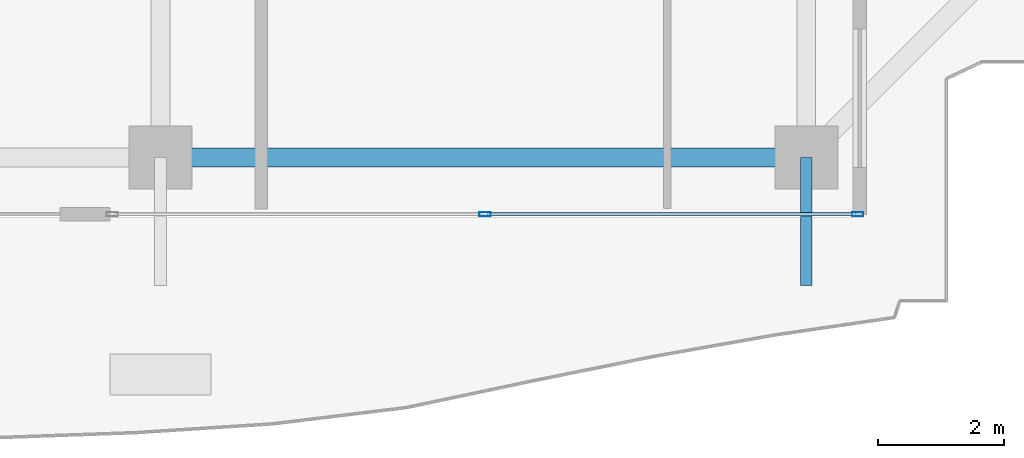
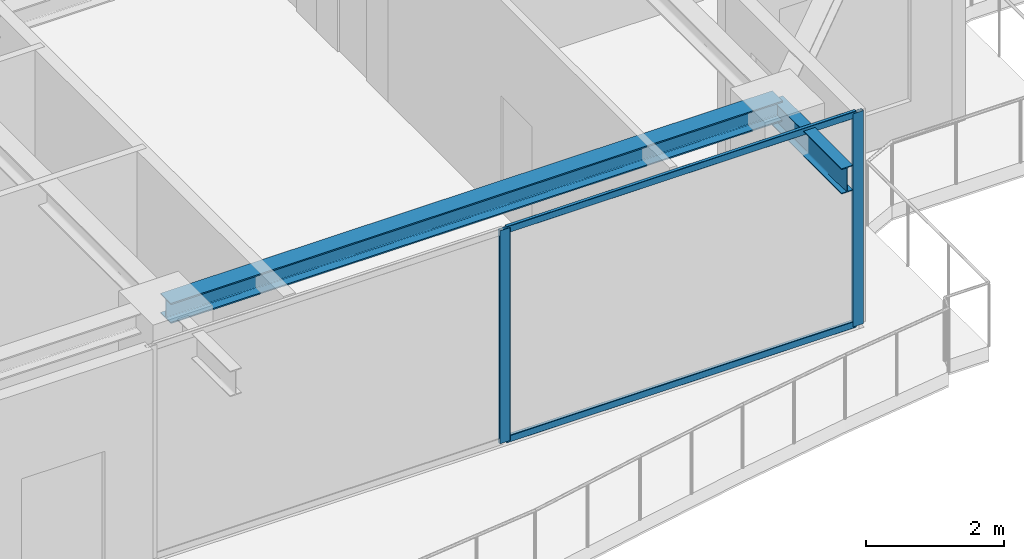
# One storey, part 12 of 42: 4 members, 2 beams, 1 element without a shape of its own.
"""IFC4 building model written with IfcOpenShell, lengths in metres."""

import ifcopenshell
import ifcopenshell.guid

model = None  # the IFC model being written
_history = None  # IfcOwnerHistory: only IFC2X3 demands one
_inside = {}  # id of a spatial element -> (the spatial element, [elements in it])
_under = {}  # id of a project, library or spatial element -> (it, [spatial elements below it])
_declared = {}  # id of a project -> (the project, [libraries it declares])
_typed = {}  # id of a type object -> (the type object, [elements of that type])
_made_of = {}  # id of a material, layer set ... -> (it, [elements and type objects made of it])


def new_model(schema):
    """Start an empty IFC model of exactly this schema.

    Asked for "IFC4X3", IfcOpenShell would pick the latest addendum, in which some entities
    have other attributes; the version numbers below select the first issue.
    IFC2X3 requires an IfcOwnerHistory on every rooted entity: one is made here for all.
    """
    global model, _history
    if schema == "IFC4X3":
        model = ifcopenshell.file(schema_version=(4, 3, 0, 0))
    else:
        model = ifcopenshell.file(schema=schema)
    _inside.clear()
    _under.clear()
    _declared.clear()
    _typed.clear()
    _made_of.clear()
    _history = None
    if model.schema == "IFC2X3":
        org = make("IfcOrganization", Name="unknown")
        user = make(
            "IfcPersonAndOrganization",
            ThePerson=make("IfcPerson", FamilyName="unknown"),
            TheOrganization=org,
        )
        app = make(
            "IfcApplication",
            ApplicationDeveloper=org,
            Version="unknown",
            ApplicationFullName="unknown",
            ApplicationIdentifier="unknown",
        )
        _history = make(
            "IfcOwnerHistory",
            OwningUser=user,
            OwningApplication=app,
            ChangeAction="ADDED",
            CreationDate=0,
        )
    return model


def make(cls, **values):
    """One entity of the class cls with the attributes given. An attribute that is None is left unset."""
    return model.create_entity(
        cls, **{name: value for name, value in values.items() if value is not None}
    )


def rooted(cls, **values):
    """An entity with a GlobalId (a new one), such as an element, a storey or a relation."""
    return make(cls, GlobalId=ifcopenshell.guid.new(), OwnerHistory=_history, **values)


def si_unit(unit_type, name, prefix=None):
    """IfcSIUnit, for example si_unit("LENGTHUNIT", "METRE", prefix="MILLI")."""
    return make("IfcSIUnit", UnitType=unit_type, Prefix=prefix, Name=name)


def assignment(units):
    """IfcUnitAssignment: the units of a project."""
    return None if units is None else make("IfcUnitAssignment", Units=units)


def point(xyz):
    """IfcCartesianPoint."""
    return None if xyz is None else make("IfcCartesianPoint", Coordinates=xyz)


def direction(xyz):
    """IfcDirection."""
    return None if xyz is None else make("IfcDirection", DirectionRatios=xyz)


def frame(location, z_axis=None, x_axis=None):
    """IfcAxis2Placement3D, a coordinate frame: its origin and axes. An axis left out is left unset."""
    return make(
        "IfcAxis2Placement3D",
        Location=point(location),
        Axis=direction(z_axis),
        RefDirection=direction(x_axis),
    )


def frame_2d(location, x_axis=None):
    """IfcAxis2Placement2D, a coordinate frame in the plane: its origin and x axis."""
    return make(
        "IfcAxis2Placement2D", Location=point(location), RefDirection=direction(x_axis)
    )


def origin():
    """The frame at (0, 0, 0) with its axes left unset."""
    return frame((0.0, 0.0, 0.0))


def origin_2d():
    """The frame at (0, 0) in the plane with its x axis left unset."""
    return frame_2d((0.0, 0.0))


def place(relative_to, where):
    """IfcLocalPlacement: puts the frame where relative to a parent placement (None: the world)."""
    return make(
        "IfcLocalPlacement", PlacementRelTo=relative_to, RelativePlacement=where
    )


def context(
    kind, dimensions, precision=None, world=None, true_north=None, identifier=None
):
    """IfcGeometricRepresentationContext, for example the 3D "Model" context."""
    return make(
        "IfcGeometricRepresentationContext",
        ContextIdentifier=identifier,
        ContextType=kind,
        CoordinateSpaceDimension=dimensions,
        Precision=precision,
        WorldCoordinateSystem=world,
        TrueNorth=true_north,
    )


def subcontext(parent, identifier, kind, view, scale=None):
    """IfcGeometricRepresentationSubContext, for example "Body" below "Model"."""
    return make(
        "IfcGeometricRepresentationSubContext",
        ContextIdentifier=identifier,
        ContextType=kind,
        ParentContext=parent,
        TargetScale=scale,
        TargetView=view,
    )


def project(units=None, contexts=None):
    """IfcProject with its units and contexts."""
    return rooted(
        "IfcProject",
        Name="project",
        RepresentationContexts=contexts,
        UnitsInContext=assignment(units),
    )


def spatial(cls, under=None, at=None, **own):
    """A site, building, storey or space (cls), placed at a placement, below another one or the project."""
    s = rooted(cls, ObjectPlacement=at, **own)
    if under is not None:
        _under.setdefault(under.id(), (under, []))[1].append(s)
    return s


def profile(cls, at=None, kind="AREA", **sizes):
    """A parametric profile (cls). Its sizes go by their IFC names, for example OverallWidth=200.0."""
    return make(cls, ProfileType=kind, Position=at, **sizes)


def hollow_rectangle(**sizes):
    """IfcRectangleHollowProfileDef."""
    return profile("IfcRectangleHollowProfileDef", **sizes)


def i_section(**sizes):
    """IfcIShapeProfileDef."""
    return profile("IfcIShapeProfileDef", **sizes)


def extrude(swept, where, along, depth):
    """IfcExtrudedAreaSolid: the profile swept, set in the frame where, extruded along a direction by depth."""
    return make(
        "IfcExtrudedAreaSolid",
        SweptArea=swept,
        Position=where,
        ExtrudedDirection=direction(along),
        Depth=depth,
    )


def shape(context_of_items, identifier, shape_type, items):
    """IfcShapeRepresentation: the items that make up one representation, for example the "Body"."""
    return make(
        "IfcShapeRepresentation",
        ContextOfItems=context_of_items,
        RepresentationIdentifier=identifier,
        RepresentationType=shape_type,
        Items=items,
    )


def source(mapping_origin, context_of_items, identifier, shape_type, items):
    """IfcRepresentationMap: a shape defined once, which mapped items show again and again."""
    return make(
        "IfcRepresentationMap",
        MappingOrigin=mapping_origin,
        MappedRepresentation=shape(context_of_items, identifier, shape_type, items),
    )


def transform(
    local_origin,
    x_axis=None,
    y_axis=None,
    z_axis=None,
    scale=None,
    scale2=None,
    scale3=None,
    uniform=True,
):
    """IfcCartesianTransformationOperator3D, or its non-uniform kind. x_axis, y_axis, z_axis: its Axis1, 2, 3."""
    if uniform:
        return make(
            "IfcCartesianTransformationOperator3D",
            Axis1=direction(x_axis),
            Axis2=direction(y_axis),
            LocalOrigin=point(local_origin),
            Scale=scale,
            Axis3=direction(z_axis),
        )
    return make(
        "IfcCartesianTransformationOperator3DnonUniform",
        Axis1=direction(x_axis),
        Axis2=direction(y_axis),
        LocalOrigin=point(local_origin),
        Scale=scale,
        Axis3=direction(z_axis),
        Scale2=scale2,
        Scale3=scale3,
    )


def mapped(mapping_source, mapping_target):
    """IfcMappedItem: shows the shape of a source again, moved by a transform."""
    return make(
        "IfcMappedItem", MappingSource=mapping_source, MappingTarget=mapping_target
    )


def material(Name=None, Category=None):
    """IfcMaterial."""
    return make("IfcMaterial", Name=Name, Category=Category)


def layer(
    of_material, thickness, ventilated=None, Name=None, Category=None, Priority=None
):
    """IfcMaterialLayer: one layer of a wall or slab, of a material (None: an air gap)."""
    return make(
        "IfcMaterialLayer",
        Material=of_material,
        LayerThickness=thickness,
        IsVentilated=ventilated,
        Name=Name,
        Category=Category,
        Priority=Priority,
    )


def layer_set(layers, Name=None):
    """IfcMaterialLayerSet."""
    return make("IfcMaterialLayerSet", MaterialLayers=layers, LayerSetName=Name)


def material_profile(
    of_material, cross_section, Name=None, Category=None, Priority=None
):
    """IfcMaterialProfile: a cross section and its material."""
    return make(
        "IfcMaterialProfile",
        Name=Name,
        Material=of_material,
        Profile=cross_section,
        Priority=Priority,
        Category=Category,
    )


def profile_set(profiles, Name=None, composite=None):
    """IfcMaterialProfileSet."""
    return make(
        "IfcMaterialProfileSet",
        Name=Name,
        MaterialProfiles=profiles,
        CompositeProfile=composite,
    )


def made_of(thing, what):
    """Note that an element or type object is made of a material, layer set ...; save() writes the relation."""
    if what is not None:
        _made_of.setdefault(what.id(), (what, []))[1].append(thing)
    return thing


def type_object(cls, material=None, **own):
    """A type object (cls), such as IfcWallType, which elements share."""
    return made_of(rooted(cls, **own), material)


def element(
    cls,
    number,
    at=None,
    inside=None,
    cuts=None,
    type_object=None,
    material=None,
    context=None,
    identifier="Body",
    shape_type=None,
    held_by="IfcProductDefinitionShape",
    body=None,
    shapes=None,
    **own,
):
    """One element of the class cls, such as IfcWall. Its Tag is "e" and its number.

    at: its placement. inside: the storey or other place that contains it. cuts: it is an
    opening in that element (IfcRelVoidsElement). A single representation is given by context,
    identifier, shape_type and body (its items); several are given by shapes. held_by: the class
    of the entity that holds the representations. save() writes the other relations.
    """
    e = rooted(cls, Tag="e%d" % number, ObjectPlacement=at, **own)
    if body is not None:
        shapes = [shape(context, identifier, shape_type, body)]
    if shapes is not None:
        e.Representation = make(held_by, Representations=shapes)
    if inside is not None:
        _inside.setdefault(inside.id(), (inside, []))[1].append(e)
    if cuts is not None:
        rooted(
            "IfcRelVoidsElement", RelatingBuildingElement=cuts, RelatedOpeningElement=e
        )
    if type_object is not None:
        _typed.setdefault(type_object.id(), (type_object, []))[1].append(e)
    return made_of(e, material)


def aggregate(whole, parts):
    """IfcRelAggregates: a whole, such as a stair, and the parts it consists of."""
    return rooted("IfcRelAggregates", RelatingObject=whole, RelatedObjects=parts)


def save(model, path):
    """Write the relations noted so far, then the file.

    IfcRelAggregates (storeys below a building ...), IfcRelContainedInSpatialStructure (elements
    in a storey), IfcRelDefinesByType, IfcRelAssociatesMaterial and IfcRelDeclares: one each for
    every whole, place, type object, material and project.
    """
    for whole, parts in _under.values():
        aggregate(whole, parts)
    for where, things in _inside.values():
        rooted(
            "IfcRelContainedInSpatialStructure",
            RelatedElements=things,
            RelatingStructure=where,
        )
    for kind, things in _typed.values():
        rooted("IfcRelDefinesByType", RelatedObjects=things, RelatingType=kind)
    for what, things in _made_of.values():
        rooted("IfcRelAssociatesMaterial", RelatedObjects=things, RelatingMaterial=what)
    for by, libraries in _declared.values():
        rooted("IfcRelDeclares", RelatingContext=by, RelatedDefinitions=libraries)
    model.write(path)


model = new_model("IFC4")

# Units and contexts
model_context = context("Model", 3, precision=1e-05, world=origin(), true_north=direction((0.0, 1.0)))
body_context = subcontext(model_context, "Body", "Model", "MODEL_VIEW")
ifc_project = project(units=[si_unit("LENGTHUNIT", "METRE"), si_unit("AREAUNIT", "SQUARE_METRE"), si_unit("VOLUMEUNIT", "CUBIC_METRE"), si_unit("PLANEANGLEUNIT", "RADIAN"), si_unit("MASSUNIT", "GRAM", prefix="KILO")], contexts=[model_context])

# Site, building, storey
site_placement = place(None, origin())
site = spatial("IfcSite", under=ifc_project, at=site_placement, CompositionType="ELEMENT")
building_placement = place(site_placement, origin())
building = spatial("IfcBuilding", under=site, at=building_placement, Name="Serunith Strait Residences", CompositionType="ELEMENT")
storey_placement = place(building_placement, frame((0.0, 0.0, 309.64990234375)))
storey = spatial("IfcBuildingStorey", under=building, at=storey_placement, Name="L77", CompositionType="ELEMENT", Elevation=309.64990234375)

# Beams
ifc_material_1 = material(Name="Steel S355J2", Category="steel")
ifc_material_profile_1 = material_profile(ifc_material_1, i_section(OverallWidth=0.300048828125, OverallDepth=0.360107421875, WebThickness=0.012451171875, FlangeThickness=0.0224609375, FilletRadius=0.027099609375, at=origin_2d()), Name="HEB 360")
ifc_profile_set_1 = profile_set([ifc_material_profile_1], Name="Steel S355J2")
beam_type_1 = type_object("IfcBeamType", Name="BM-HEB360", PredefinedType="BEAM", material=ifc_profile_set_1)
shared_shape_1 = source(origin(), body_context, "Body", "SweptSolid", [
    extrude(i_section(OverallWidth=0.300048828125, OverallDepth=0.360107421875, WebThickness=0.012451171875, FlangeThickness=0.0224609375, FilletRadius=0.027099609375, at=origin_2d()), origin(), (0.0, 0.0, 1.0), 10.25),
])
beam_1_placement = place(storey_placement, frame((36.89990234375, 3.300048828125, 3.607177734375), z_axis=(1.0, 0.0, 0.0), x_axis=(0.0, 1.0, 0.0)))
element("IfcBeam", 1, at=beam_1_placement, inside=storey, type_object=beam_type_1, Name="L77 Perimeter Ring Beam 03", PredefinedType="BEAM", context=body_context, shape_type="MappedRepresentation", body=[
    mapped(shared_shape_1, transform((0.0, 0.0, 0.0), scale=1.0)),
])
ifc_material_profile_2 = material_profile(ifc_material_1, i_section(OverallWidth=0.18994140625, OverallDepth=0.449951171875, WebThickness=0.009521484375, FlangeThickness=0.0146484375, FilletRadius=0.02099609375, at=origin_2d()), Name="IPE 450")
ifc_profile_set_2 = profile_set([ifc_material_profile_2], Name="Steel S355J2")
beam_type_2 = type_object("IfcBeamType", Name="BM-IPE450", PredefinedType="JOIST", material=ifc_profile_set_2)
shared_shape_2 = source(origin(), body_context, "Body", "SweptSolid", [
    extrude(i_section(OverallWidth=0.18994140625, OverallDepth=0.449951171875, WebThickness=0.009521484375, FlangeThickness=0.0146484375, FilletRadius=0.02099609375, at=origin_2d()), origin(), (0.0, 0.0, 1.0), 2.030029296875),
])
beam_2_placement = place(storey_placement, frame((47.14990234375, 3.300048828125, 3.531982421875), z_axis=(0.0, -1.0, 0.0), x_axis=(1.0, 0.0, 0.0)))
element("IfcBeam", 2, at=beam_2_placement, inside=storey, type_object=beam_type_2, Name="L78 Cantilevered Balcony Rib TC-S4", PredefinedType="JOIST", context=body_context, shape_type="MappedRepresentation", body=[
    mapped(shared_shape_2, transform((0.0, 0.0, 0.0), scale=1.0)),
])

# Curtain wall, members
ifc_material_2 = material(Name="Brushed Stainless-Silver Aluminium", Category="aluminium")
ifc_layer = layer(ifc_material_2, 0.199951171875, Name="Brushed Stainless-Silver Aluminium")
ifc_layer_set = layer_set([ifc_layer], Name="Brushed Stainless-Silver Aluminium")
curtain_wall_type = type_object("IfcCurtainWallType", Name="CW-SYS5", PredefinedType="NOTDEFINED", material=ifc_layer_set)
curtain_wall_placement = place(storey_placement, origin())
curtain_wall = element("IfcCurtainWall", 3, at=curtain_wall_placement, inside=storey, type_object=curtain_wall_type, Name="L77 S Unitised Fritted Curtain Wall", PredefinedType="NOTDEFINED")
ifc_material_profile_3 = material_profile(ifc_material_2, hollow_rectangle(XDim=0.06494140625, YDim=0.179931640625, WallThickness=0.00341796875, InnerFilletRadius=0.00537109375, OuterFilletRadius=0.0087890625, at=origin_2d()), Name="ALU 180x65x3.5")
ifc_profile_set_3 = profile_set([ifc_material_profile_3], Name="Brushed Stainless-Silver Aluminium")
member_type_1 = type_object("IfcMemberType", Name="CW-SYS5-MULL", PredefinedType="MULLION", material=ifc_profile_set_3)
shared_shape_3 = source(origin(), body_context, "Body", "SweptSolid", [
    extrude(hollow_rectangle(XDim=0.06494140625, YDim=0.179931640625, WallThickness=0.00341796875, InnerFilletRadius=0.00537109375, OuterFilletRadius=0.0087890625, at=origin_2d()), origin(), (0.0, 0.0, 1.0), 3.775146484375),
])
member_1_placement = place(storey_placement, frame((42.050048828125, 2.39990234375, 0.0), z_axis=(0.0, 0.0, 1.0), x_axis=(0.0, 1.0, 0.0)))
member_1 = element("IfcMember", 4, at=member_1_placement, type_object=member_type_1, Name="CW-5 mullion 2", PredefinedType="MULLION", context=body_context, shape_type="MappedRepresentation", body=[
    mapped(shared_shape_3, transform((0.0, 0.0, 0.0), scale=1.0)),
])
member_2_placement = place(storey_placement, frame((47.967529296875, 2.39990234375, 0.0), z_axis=(0.0, 0.0, 1.0), x_axis=(0.0, 1.0, 0.0)))
member_2 = element("IfcMember", 5, at=member_2_placement, type_object=member_type_1, Name="CW-5 mullion 3", PredefinedType="MULLION", context=body_context, shape_type="MappedRepresentation", body=[
    mapped(shared_shape_3, transform((0.0, 0.0, 0.0), scale=1.0)),
])
ifc_material_profile_4 = material_profile(ifc_material_2, hollow_rectangle(XDim=0.06005859375, YDim=0.1201171875, WallThickness=0.00341796875, InnerFilletRadius=0.00537109375, OuterFilletRadius=0.0087890625, at=origin_2d()), Name="ALU 120x60x3.5")
ifc_profile_set_4 = profile_set([ifc_material_profile_4], Name="Brushed Stainless-Silver Aluminium")
member_type_2 = type_object("IfcMemberType", Name="CW-SYS5-TRAN", PredefinedType="USERDEFINED", material=ifc_profile_set_4)
shared_shape_4 = source(origin(), body_context, "Body", "SweptSolid", [
    extrude(hollow_rectangle(XDim=0.06005859375, YDim=0.1201171875, WallThickness=0.00341796875, InnerFilletRadius=0.00537109375, OuterFilletRadius=0.0087890625, at=origin_2d()), origin(), (0.0, 0.0, 1.0), 5.8525390625),
])
member_3_placement = place(storey_placement, frame((42.08251953125, 2.39990234375, 0.030029296875), z_axis=(1.0, 0.0, 0.0), x_axis=(0.0, 1.0, 0.0)))
member_3 = element("IfcMember", 6, at=member_3_placement, type_object=member_type_2, Name="CW-5 transom 2.1", ObjectType="TRANSOM", PredefinedType="USERDEFINED", context=body_context, shape_type="MappedRepresentation", body=[
    mapped(shared_shape_4, transform((0.0, 0.0, 0.0), scale=1.0)),
])
member_4_placement = place(storey_placement, frame((42.08251953125, 2.39990234375, 3.7451171875), z_axis=(1.0, 0.0, 0.0), x_axis=(0.0, 1.0, 0.0)))
member_4 = element("IfcMember", 7, at=member_4_placement, type_object=member_type_2, Name="CW-5 transom 2.2", ObjectType="TRANSOM", PredefinedType="USERDEFINED", context=body_context, shape_type="MappedRepresentation", body=[
    mapped(shared_shape_4, transform((0.0, 0.0, 0.0), scale=1.0)),
])
aggregate(curtain_wall, [member_1, member_2, member_3, member_4])

save(model, "model.ifc")
